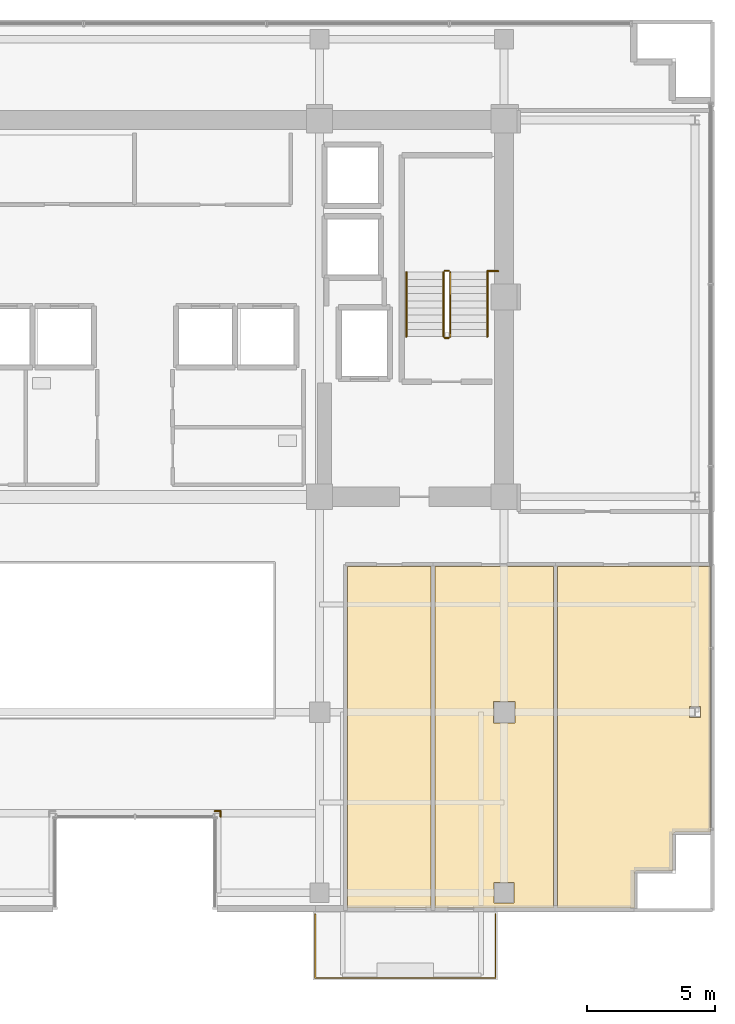
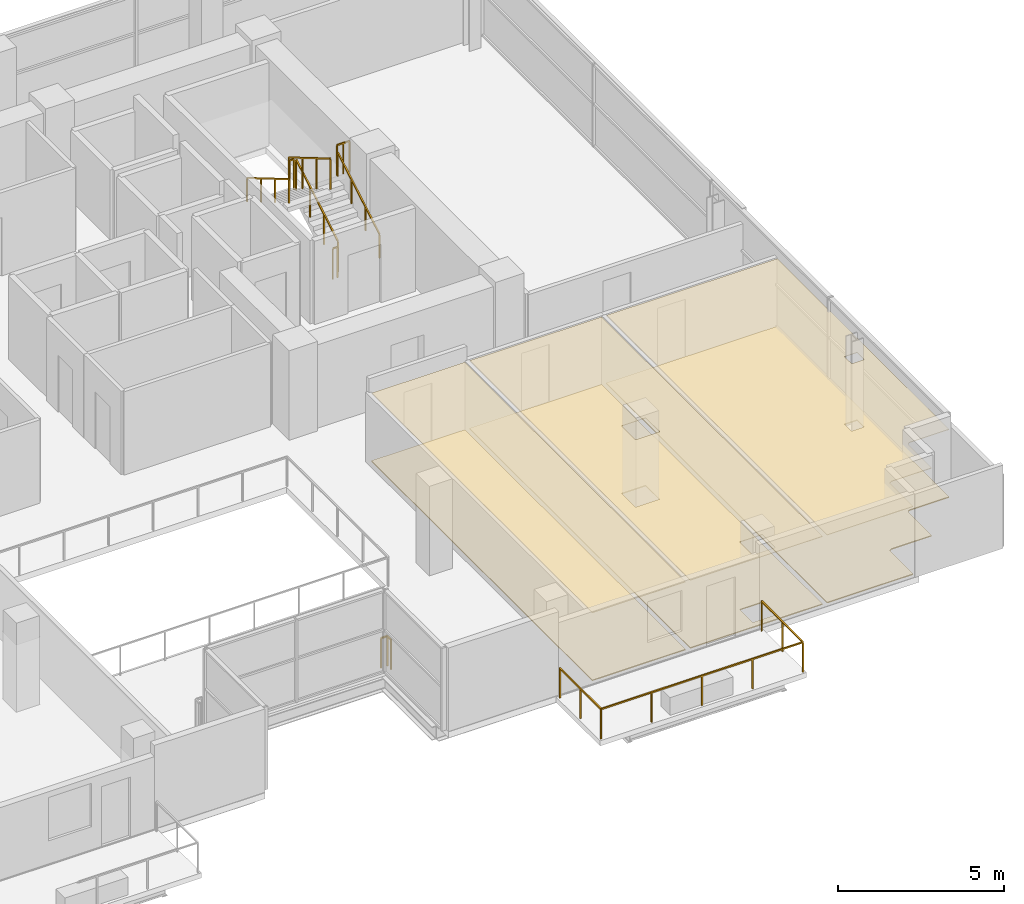
# One storey, part 20 of 21: 10 railings, 6 coverings.
"""IFC4 building model written with IfcOpenShell, lengths in metres."""

from ifc_helpers import new_model, si_unit, direction, frame, origin, origin_2d, place, context, subcontext, project, spatial, polyline, rectangle, outline, extrude, material, layer, layer_set, type_object, element, save


model = new_model("IFC4")

# Units and contexts
model_context = context("Model", 3, precision=1e-05, world=origin(), true_north=direction((0.0, 1.0)))
body_context = subcontext(model_context, "Body", "Model", "MODEL_VIEW")
ifc_project = project(units=[si_unit("LENGTHUNIT", "METRE"), si_unit("AREAUNIT", "SQUARE_METRE"), si_unit("VOLUMEUNIT", "CUBIC_METRE"), si_unit("PLANEANGLEUNIT", "RADIAN"), si_unit("MASSUNIT", "GRAM", prefix="KILO")], contexts=[model_context])

# Site, building, storey
site_placement = place(None, origin())
site = spatial("IfcSite", under=ifc_project, at=site_placement, CompositionType="ELEMENT")
building_placement = place(site_placement, origin())
building = spatial("IfcBuilding", under=site, at=building_placement, Name="Zarnakvel Exchange Tower", CompositionType="ELEMENT")
storey_placement = place(building_placement, frame((0.0, 0.0, 159.39990234375)))
storey = spatial("IfcBuildingStorey", under=building, at=storey_placement, Name="L44", CompositionType="ELEMENT", Elevation=159.39990234375)

# Coverings
ifc_material_1 = material(Name="Perforated Bronze Acoustic Metal Ceiling", Category="aluminium")
ifc_layer_1 = layer(ifc_material_1, 0.02001953125)
ifc_layer_set_1 = layer_set([ifc_layer_1], Name="Perforated Bronze Acoustic Metal Ceiling")
covering_type_1 = type_object("IfcCoveringType", Name="CLG-01", PredefinedType="CEILING", material=ifc_layer_set_1)
covering_1_placement = place(storey_placement, frame((0.0, 0.0, 2.505126953125)))
element("IfcCovering", 1, at=covering_1_placement, inside=storey, type_object=covering_type_1, Name="L44 Suspended Acoustic Ceiling (Meeting Room)", PredefinedType="CEILING", context=body_context, shape_type="SweptSolid", body=[
    extrude(outline(polyline([(8.294677734375, -3.909912109375), (11.550048828125, -3.909912109375), (11.550048828125, -17.25), (8.294677734375, -17.25), (8.294677734375, -3.909912109375)])), origin(), (0.0, 0.0, 1.0), 0.02001953125),
])
covering_2_placement = place(storey_placement, frame((0.0, 0.0, 2.505126953125)))
element("IfcCovering", 2, at=covering_2_placement, inside=storey, type_object=covering_type_1, Name="L44 Suspended Acoustic Ceiling (Breakout Pantry)", PredefinedType="CEILING", context=body_context, shape_type="SweptSolid", body=[
    extrude(outline(polyline([(11.7099609375, -3.909912109375), (16.32177734375, -3.909912109375), (16.32177734375, -17.25), (11.7099609375, -17.25), (11.7099609375, -3.909912109375)]), holes=[polyline([(14.820068359375, -10.02001953125), (14.820068359375, -9.179931640625), (13.97998046875, -9.179931640625), (13.97998046875, -10.02001953125), (14.820068359375, -10.02001953125)]), polyline([(14.794921875, -17.044921875), (14.794921875, -16.2548828125), (14.0048828125, -16.2548828125), (14.0048828125, -17.044921875), (14.794921875, -17.044921875)])]), origin(), (0.0, 0.0, 1.0), 0.02001953125),
])
covering_3_placement = place(storey_placement, frame((0.0, 0.0, 2.505126953125)))
element("IfcCovering", 3, at=covering_3_placement, inside=storey, type_object=covering_type_1, Name="L44 Suspended Acoustic Ceiling (Settlement Office)", PredefinedType="CEILING", context=body_context, shape_type="SweptSolid", body=[
    extrude(outline(polyline([(16.481689453125, -3.909912109375), (22.449951171875, -3.909912109375), (22.449951171875, -14.280029296875), (21.10009765625, -14.280029296875), (21.088134765625, -14.280517578125), (21.07666015625, -14.2822265625), (21.065185546875, -14.28515625), (21.05419921875, -14.2890625), (21.04345703125, -14.294189453125), (21.033447265625, -14.30029296875), (21.02392578125, -14.30712890625), (21.01513671875, -14.315185546875), (21.00732421875, -14.323974609375), (21.000244140625, -14.333251953125), (20.994140625, -14.343505859375), (20.989013671875, -14.35400390625), (20.985107421875, -14.365234375), (20.982421875, -14.376708984375), (20.98046875, -14.38818359375), (20.97998046875, -14.39990234375), (20.97998046875, -15.780029296875), (19.60009765625, -15.780029296875), (19.588134765625, -15.780517578125), (19.57666015625, -15.7822265625), (19.565185546875, -15.78515625), (19.55419921875, -15.7890625), (19.54345703125, -15.794189453125), (19.533447265625, -15.80029296875), (19.52392578125, -15.80712890625), (19.51513671875, -15.815185546875), (19.50732421875, -15.823974609375), (19.500244140625, -15.833251953125), (19.494140625, -15.843505859375), (19.489013671875, -15.85400390625), (19.485107421875, -15.865234375), (19.482421875, -15.876708984375), (19.48046875, -15.88818359375), (19.47998046875, -15.89990234375), (19.47998046875, -17.25), (16.481689453125, -17.25), (16.481689453125, -3.909912109375)]), holes=[polyline([(22.069580078125, -9.81689453125), (22.069580078125, -9.38330078125), (21.630615234375, -9.38330078125), (21.630615234375, -9.81689453125), (22.069580078125, -9.81689453125)])]), origin(), (0.0, 0.0, 1.0), 0.02001953125),
])
ifc_material_2 = material(Name="Heavy-Duty Raised Access Floor Panel", Category="steel")
ifc_layer_2 = layer(ifc_material_2, 0.034912109375)
ifc_layer_set_2 = layer_set([ifc_layer_2], Name="Heavy-Duty Raised Access Floor Panel")
covering_type_2 = type_object("IfcCoveringType", Name="FLR-02", PredefinedType="FLOORING", material=ifc_layer_set_2)
covering_4_placement = place(storey_placement, origin())
element("IfcCovering", 4, at=covering_4_placement, inside=storey, type_object=covering_type_2, Name="L44 Floor Finish (Meeting Room)", PredefinedType="FLOORING", context=body_context, shape_type="SweptSolid", body=[
    extrude(outline(polyline([(8.294677734375, -3.909912109375), (11.550048828125, -3.909912109375), (11.550048828125, -17.25), (8.294677734375, -17.25), (8.294677734375, -3.909912109375)])), origin(), (0.0, 0.0, 1.0), 0.03515625),
])
covering_5_placement = place(storey_placement, origin())
element("IfcCovering", 5, at=covering_5_placement, inside=storey, type_object=covering_type_2, Name="L44 Floor Finish (Breakout Pantry)", PredefinedType="FLOORING", context=body_context, shape_type="SweptSolid", body=[
    extrude(outline(polyline([(11.7099609375, -3.909912109375), (16.32177734375, -3.909912109375), (16.32177734375, -17.25), (11.7099609375, -17.25), (11.7099609375, -3.909912109375)]), holes=[polyline([(14.820068359375, -10.02001953125), (14.820068359375, -9.179931640625), (13.97998046875, -9.179931640625), (13.97998046875, -10.02001953125), (14.820068359375, -10.02001953125)]), polyline([(14.794921875, -17.044921875), (14.794921875, -16.2548828125), (14.0048828125, -16.2548828125), (14.0048828125, -17.044921875), (14.794921875, -17.044921875)])]), origin(), (0.0, 0.0, 1.0), 0.03515625),
])
covering_6_placement = place(storey_placement, origin())
element("IfcCovering", 6, at=covering_6_placement, inside=storey, type_object=covering_type_2, Name="L44 Floor Finish (Settlement Office)", PredefinedType="FLOORING", context=body_context, shape_type="SweptSolid", body=[
    extrude(outline(polyline([(16.481689453125, -3.909912109375), (22.449951171875, -3.909912109375), (22.449951171875, -14.280029296875), (21.10009765625, -14.280029296875), (21.088134765625, -14.280517578125), (21.07666015625, -14.2822265625), (21.065185546875, -14.28515625), (21.05419921875, -14.2890625), (21.04345703125, -14.294189453125), (21.033447265625, -14.30029296875), (21.02392578125, -14.30712890625), (21.01513671875, -14.315185546875), (21.00732421875, -14.323974609375), (21.000244140625, -14.333251953125), (20.994140625, -14.343505859375), (20.989013671875, -14.35400390625), (20.985107421875, -14.365234375), (20.982421875, -14.376708984375), (20.98046875, -14.38818359375), (20.97998046875, -14.39990234375), (20.97998046875, -15.780029296875), (19.60009765625, -15.780029296875), (19.588134765625, -15.780517578125), (19.57666015625, -15.7822265625), (19.565185546875, -15.78515625), (19.55419921875, -15.7890625), (19.54345703125, -15.794189453125), (19.533447265625, -15.80029296875), (19.52392578125, -15.80712890625), (19.51513671875, -15.815185546875), (19.50732421875, -15.823974609375), (19.500244140625, -15.833251953125), (19.494140625, -15.843505859375), (19.489013671875, -15.85400390625), (19.485107421875, -15.865234375), (19.482421875, -15.876708984375), (19.48046875, -15.88818359375), (19.47998046875, -15.89990234375), (19.47998046875, -17.25), (16.481689453125, -17.25), (16.481689453125, -3.909912109375)]), holes=[polyline([(22.069580078125, -9.81689453125), (22.069580078125, -9.38330078125), (21.630615234375, -9.38330078125), (21.630615234375, -9.81689453125), (22.069580078125, -9.81689453125)])]), origin(), (0.0, 0.0, 1.0), 0.03515625),
])

# Railings
ifc_material_3 = material(Name="Architectural Bronze Anodised Aluminium", Category="aluminium")
railing_type_1 = type_object("IfcRailingType", Name="GR-02", PredefinedType="GUARDRAIL", material=ifc_material_3)
railing_1_placement = place(storey_placement, frame((7.030029296875, -17.47998046875, -0.034912109375)))
element("IfcRailing", 7, at=railing_1_placement, inside=storey, type_object=railing_type_1, Name="L44 Balcony Guardrail BAL-L44-SE", PredefinedType="GUARDRAIL", context=body_context, shape_type="SweptSolid", body=[
    extrude(rectangle(XDim=0.048095703125, YDim=0.048095703125, at=origin_2d()), frame((0.0, 0.0, 1.09619140625), z_axis=(0.0, -1.0, 0.0), x_axis=(1.0, 0.0, 0.0)), (0.0, 0.0, 1.0), 2.489990234375),
    extrude(rectangle(XDim=0.048095703125, YDim=0.048095703125, at=origin_2d()), frame((0.0, -2.489990234375, 1.09619140625), z_axis=(1.0, 0.0, 0.0), x_axis=(0.0, 1.0, 0.0)), (0.0, 0.0, 1.0), 7.0400390625),
    extrude(rectangle(XDim=0.048095703125, YDim=0.048095703125, at=origin_2d()), frame((7.0400390625, -2.489990234375, 1.09619140625), z_axis=(0.0, 1.0, 0.0), x_axis=(-1.0, 0.0, 0.0)), (0.0, 0.0, 1.0), 2.489990234375),
    extrude(rectangle(XDim=0.0419921875, YDim=0.0419921875, at=origin_2d()), origin(), (0.0, 0.0, 1.0), 1.072021484375),
    extrude(rectangle(XDim=0.0419921875, YDim=0.0419921875, at=origin_2d()), frame((0.0, -1.2451171875, 0.0)), (0.0, 0.0, 1.0), 1.072021484375),
    extrude(rectangle(XDim=0.0419921875, YDim=0.0419921875, at=origin_2d()), frame((0.0, -2.489990234375, 0.0)), (0.0, 0.0, 1.0), 1.072021484375),
    extrude(rectangle(XDim=0.0419921875, YDim=0.0419921875, at=origin_2d()), frame((1.760009765625, -2.489990234375, 0.0)), (0.0, 0.0, 1.0), 1.072021484375),
    extrude(rectangle(XDim=0.0419921875, YDim=0.0419921875, at=origin_2d()), frame((3.52001953125, -2.489990234375, 0.0)), (0.0, 0.0, 1.0), 1.072021484375),
    extrude(rectangle(XDim=0.0419921875, YDim=0.0419921875, at=origin_2d()), frame((5.280029296875, -2.489990234375, 0.0)), (0.0, 0.0, 1.0), 1.072021484375),
    extrude(rectangle(XDim=0.0419921875, YDim=0.0419921875, at=origin_2d()), frame((7.0400390625, -2.489990234375, 0.0)), (0.0, 0.0, 1.0), 1.072021484375),
    extrude(rectangle(XDim=0.0419921875, YDim=0.0419921875, at=origin_2d()), frame((7.0400390625, -1.2451171875, 0.0)), (0.0, 0.0, 1.0), 1.072021484375),
    extrude(rectangle(XDim=0.0419921875, YDim=0.0419921875, at=origin_2d()), frame((7.0400390625, 0.0, 0.0)), (0.0, 0.0, 1.0), 1.072021484375),
])
railing_2_placement = place(storey_placement, frame((3.340087890625, -13.679931640625, 0.0)))
element("IfcRailing", 8, at=railing_2_placement, inside=storey, type_object=railing_type_1, Name="L44 Corner Spandrel Balustrade #17", PredefinedType="GUARDRAIL", context=body_context, shape_type="SweptSolid", body=[
    extrude(rectangle(XDim=0.048095703125, YDim=0.048095703125, at=origin_2d()), frame((0.0, 0.0, 1.09619140625), z_axis=(0.0, 1.0, 0.0), x_axis=(-1.0, 0.0, 0.0)), (0.0, 0.0, 1.0), 0.219970703125),
    extrude(rectangle(XDim=0.0419921875, YDim=0.0419921875, at=origin_2d()), origin(), (0.0, 0.0, 1.0), 1.072021484375),
    extrude(rectangle(XDim=0.0419921875, YDim=0.0419921875, at=origin_2d()), frame((0.0, 0.219970703125, 0.0)), (0.0, 0.0, 1.0), 1.072021484375),
])
railing_3_placement = place(storey_placement, frame((3.340087890625, -13.4599609375, 0.0)))
element("IfcRailing", 9, at=railing_3_placement, inside=storey, type_object=railing_type_1, Name="L44 Corner Spandrel Balustrade #18", PredefinedType="GUARDRAIL", context=body_context, shape_type="SweptSolid", body=[
    extrude(rectangle(XDim=0.048095703125, YDim=0.048095703125, at=origin_2d()), frame((0.0, 0.0, 1.09619140625), z_axis=(-1.0, 0.0, 0.0), x_axis=(0.0, -1.0, 0.0)), (0.0, 0.0, 1.0), 0.219970703125),
    extrude(rectangle(XDim=0.0419921875, YDim=0.0419921875, at=origin_2d()), origin(), (0.0, 0.0, 1.0), 1.072021484375),
    extrude(rectangle(XDim=0.0419921875, YDim=0.0419921875, at=origin_2d()), frame((-0.219970703125, 0.0, 0.0)), (0.0, 0.0, 1.0), 1.072021484375),
])
ifc_material_4 = material(Name="Brushed Stainless Steel", Category="steel")
railing_type_2 = type_object("IfcRailingType", Name="HR-01", PredefinedType="HANDRAIL", material=ifc_material_4)
railing_4_placement = place(storey_placement, frame((13.75, 5.050048828125, 0.1650390625)))
element("IfcRailing", 10, at=railing_4_placement, inside=storey, type_object=railing_type_2, Name="L44 ST-02 stair handrail 1", PredefinedType="HANDRAIL", context=body_context, shape_type="SweptSolid", body=[
    extrude(rectangle(XDim=0.048095703125, YDim=0.048095703125, at=origin_2d()), frame((0.0, 0.0, 0.8759765625), z_axis=(0.0, 0.86152411907, 0.507716645641), x_axis=(-1.0, 0.0, 0.0)), (0.0, 0.0, 1.0), 2.925048828125),
    extrude(rectangle(XDim=0.0419921875, YDim=0.0419921875, at=origin_2d()), origin(), (0.0, 0.0, 1.0), 0.851806640625),
    extrude(rectangle(XDim=0.0419921875, YDim=0.0419921875, at=origin_2d()), frame((0.0, 0.840087890625, 0.4951171875)), (0.0, 0.0, 1.0), 0.851806640625),
    extrude(rectangle(XDim=0.0419921875, YDim=0.0419921875, at=origin_2d()), frame((0.0, 1.679931640625, 0.989990234375)), (0.0, 0.0, 1.0), 0.851806640625),
    extrude(rectangle(XDim=0.0419921875, YDim=0.0419921875, at=origin_2d()), frame((0.0, 2.52001953125, 1.485107421875)), (0.0, 0.0, 1.0), 0.851806640625),
])
railing_5_placement = place(storey_placement, frame((10.590087890625, 7.570068359375, 1.815185546875)))
element("IfcRailing", 11, at=railing_5_placement, inside=storey, type_object=railing_type_2, Name="L44 ST-02 stair handrail 2", PredefinedType="HANDRAIL", context=body_context, shape_type="SweptSolid", body=[
    extrude(rectangle(XDim=0.048095703125, YDim=0.048095703125, at=origin_2d()), frame((0.0, 0.0, 0.8759765625), z_axis=(0.0, -0.861560626758, 0.507654692109), x_axis=(1.0, 0.0, 0.0)), (0.0, 0.0, 1.0), 2.925048828125),
    extrude(rectangle(XDim=0.0419921875, YDim=0.0419921875, at=origin_2d()), origin(), (0.0, 0.0, 1.0), 0.851806640625),
    extrude(rectangle(XDim=0.0419921875, YDim=0.0419921875, at=origin_2d()), frame((0.0, -0.840087890625, 0.494873046875)), (0.0, 0.0, 1.0), 0.851806640625),
    extrude(rectangle(XDim=0.0419921875, YDim=0.0419921875, at=origin_2d()), frame((0.0, -1.679931640625, 0.989990234375)), (0.0, 0.0, 1.0), 0.851806640625),
    extrude(rectangle(XDim=0.0419921875, YDim=0.0419921875, at=origin_2d()), frame((0.0, -2.52001953125, 1.48486328125)), (0.0, 0.0, 1.0), 0.851806640625),
])
railing_type_3 = type_object("IfcRailingType", Name="SG-01", PredefinedType="GUARDRAIL", material=ifc_material_3)
railing_6_placement = place(storey_placement, frame((12.300048828125, 5.050048828125, 0.1650390625)))
element("IfcRailing", 12, at=railing_6_placement, inside=storey, type_object=railing_type_3, Name="L44 ST-02 stair guard 1", PredefinedType="GUARDRAIL", context=body_context, shape_type="SweptSolid", body=[
    extrude(rectangle(XDim=0.048095703125, YDim=0.048095703125, at=origin_2d()), frame((0.0, 0.0, 1.1259765625), z_axis=(0.0, 0.86152411907, 0.507716645641), x_axis=(-1.0, 0.0, 0.0)), (0.0, 0.0, 1.0), 2.925048828125),
    extrude(rectangle(XDim=0.0419921875, YDim=0.0419921875, at=origin_2d()), origin(), (0.0, 0.0, 1.0), 1.101806640625),
    extrude(rectangle(XDim=0.0419921875, YDim=0.0419921875, at=origin_2d()), frame((0.0, 0.840087890625, 0.4951171875)), (0.0, 0.0, 1.0), 1.101806640625),
    extrude(rectangle(XDim=0.0419921875, YDim=0.0419921875, at=origin_2d()), frame((0.0, 1.679931640625, 0.989990234375)), (0.0, 0.0, 1.0), 1.101806640625),
    extrude(rectangle(XDim=0.0419921875, YDim=0.0419921875, at=origin_2d()), frame((0.0, 2.52001953125, 1.485107421875)), (0.0, 0.0, 1.0), 1.101806640625),
])
railing_7_placement = place(storey_placement, frame((12.25, 7.6201171875, 1.650146484375)))
element("IfcRailing", 13, at=railing_7_placement, inside=storey, type_object=railing_type_3, Name="L44 ST-02 stair guard 2", PredefinedType="GUARDRAIL", context=body_context, shape_type="SweptSolid", body=[
    extrude(rectangle(XDim=0.048095703125, YDim=0.048095703125, at=origin_2d()), frame((0.0, 0.0, 1.1259765625), z_axis=(-1.0, 0.0, 0.0), x_axis=(0.0, -1.0, 0.0)), (0.0, 0.0, 1.0), 0.159912109375),
    extrude(rectangle(XDim=0.0419921875, YDim=0.0419921875, at=origin_2d()), origin(), (0.0, 0.0, 1.0), 1.101806640625),
    extrude(rectangle(XDim=0.0419921875, YDim=0.0419921875, at=origin_2d()), frame((-0.159912109375, 0.0, 0.0)), (0.0, 0.0, 1.0), 1.101806640625),
])
railing_8_placement = place(storey_placement, frame((12.0400390625, 7.570068359375, 1.815185546875)))
element("IfcRailing", 14, at=railing_8_placement, inside=storey, type_object=railing_type_3, Name="L44 ST-02 stair guard 3", PredefinedType="GUARDRAIL", context=body_context, shape_type="SweptSolid", body=[
    extrude(rectangle(XDim=0.048095703125, YDim=0.048095703125, at=origin_2d()), frame((0.0, 0.0, 1.1259765625), z_axis=(0.0, -0.861560626758, 0.507654692109), x_axis=(1.0, 0.0, 0.0)), (0.0, 0.0, 1.0), 2.925048828125),
    extrude(rectangle(XDim=0.0419921875, YDim=0.0419921875, at=origin_2d()), origin(), (0.0, 0.0, 1.0), 1.101806640625),
    extrude(rectangle(XDim=0.0419921875, YDim=0.0419921875, at=origin_2d()), frame((0.0, -0.840087890625, 0.494873046875)), (0.0, 0.0, 1.0), 1.101806640625),
    extrude(rectangle(XDim=0.0419921875, YDim=0.0419921875, at=origin_2d()), frame((0.0, -1.679931640625, 0.989990234375)), (0.0, 0.0, 1.0), 1.101806640625),
    extrude(rectangle(XDim=0.0419921875, YDim=0.0419921875, at=origin_2d()), frame((0.0, -2.52001953125, 1.48486328125)), (0.0, 0.0, 1.0), 1.101806640625),
])
railing_9_placement = place(storey_placement, frame((12.25, 5.0, 0.0)))
element("IfcRailing", 15, at=railing_9_placement, inside=storey, type_object=railing_type_3, Name="L44 ST-02 stair guard 4", PredefinedType="GUARDRAIL", context=body_context, shape_type="SweptSolid", body=[
    extrude(rectangle(XDim=0.048095703125, YDim=0.048095703125, at=origin_2d()), frame((0.0, 0.0, 1.1259765625), z_axis=(-1.0, 0.0, 0.0), x_axis=(0.0, -1.0, 0.0)), (0.0, 0.0, 1.0), 0.159912109375),
    extrude(rectangle(XDim=0.0419921875, YDim=0.0419921875, at=origin_2d()), origin(), (0.0, 0.0, 1.0), 1.101806640625),
    extrude(rectangle(XDim=0.0419921875, YDim=0.0419921875, at=origin_2d()), frame((-0.159912109375, 0.0, 0.0)), (0.0, 0.0, 1.0), 1.101806640625),
])
railing_10_placement = place(storey_placement, frame((13.75, 7.610107421875, 1.650146484375)))
element("IfcRailing", 16, at=railing_10_placement, inside=storey, type_object=railing_type_3, Name="L44 ST-02 Landing Slot Guardrail", PredefinedType="GUARDRAIL", context=body_context, shape_type="SweptSolid", body=[
    extrude(rectangle(XDim=0.048095703125, YDim=0.048095703125, at=origin_2d()), frame((0.0, 0.0, 1.1259765625), z_axis=(1.0, 0.0, 0.0), x_axis=(0.0, 1.0, 0.0)), (0.0, 0.0, 1.0), 0.429931640625),
    extrude(rectangle(XDim=0.0419921875, YDim=0.0419921875, at=origin_2d()), origin(), (0.0, 0.0, 1.0), 1.101806640625),
    extrude(rectangle(XDim=0.0419921875, YDim=0.0419921875, at=origin_2d()), frame((0.21484375, 0.0, 0.0)), (0.0, 0.0, 1.0), 1.101806640625),
    extrude(rectangle(XDim=0.0419921875, YDim=0.0419921875, at=origin_2d()), frame((0.429931640625, 0.0, 0.0)), (0.0, 0.0, 1.0), 1.101806640625),
])

save(model, "model.ifc")
